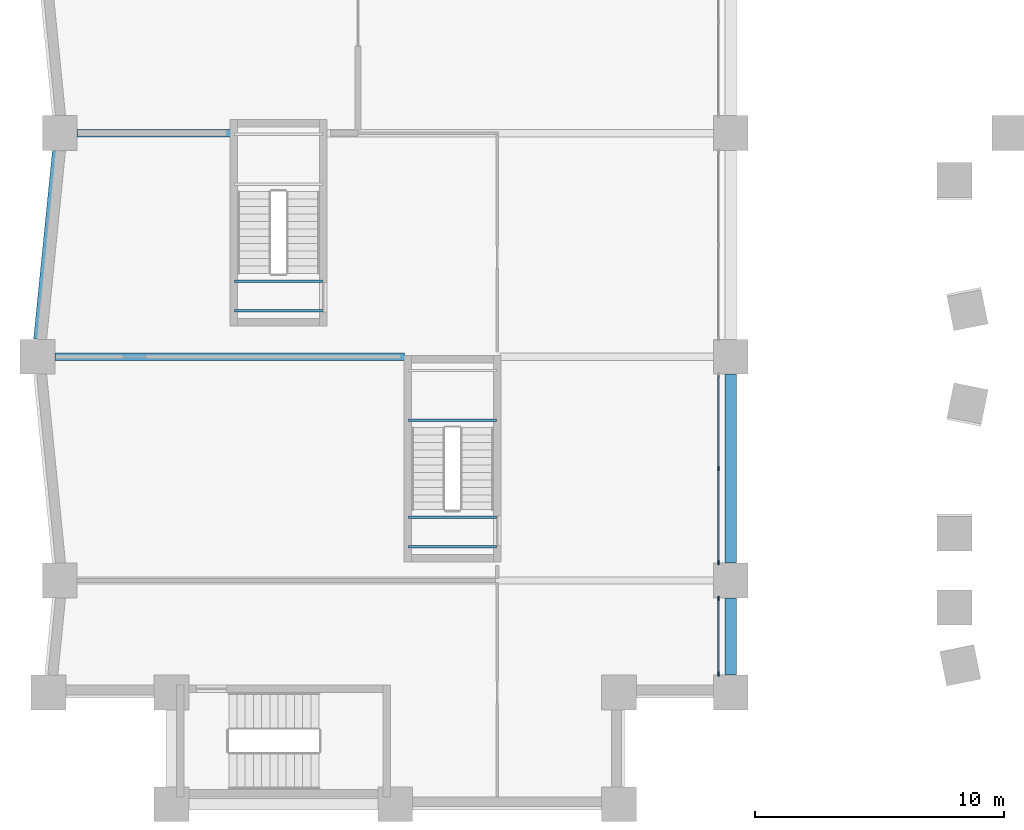
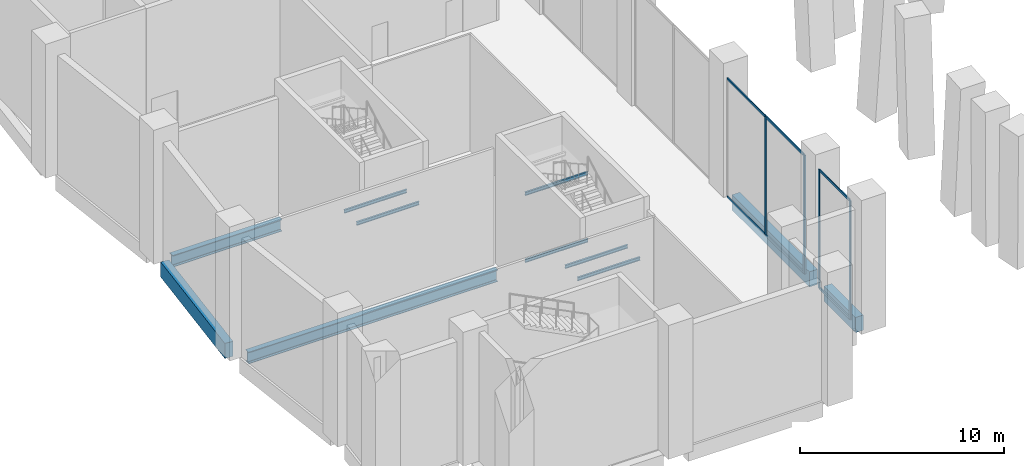
# One storey, part 2 of 19: 11 beams, 10 members, 2 elements without a shape of their own.
"""IFC4 building model written with IfcOpenShell, lengths in metres."""

from ifc_helpers import new_model, si_unit, direction, frame, origin, origin_2d, place, context, subcontext, project, spatial, rectangle, i_section, extrude, material, material_profile, profile_set, type_object, element, aggregate, save


model = new_model("IFC4")

# Units and contexts
model_context = context("Model", 3, precision=1e-05, world=origin(), true_north=direction((0.0, 1.0)))
body_context = subcontext(model_context, "Body", "Model", "MODEL_VIEW")
ifc_project = project(units=[si_unit("LENGTHUNIT", "METRE"), si_unit("AREAUNIT", "SQUARE_METRE"), si_unit("VOLUMEUNIT", "CUBIC_METRE"), si_unit("PLANEANGLEUNIT", "RADIAN"), si_unit("MASSUNIT", "GRAM", prefix="KILO")], contexts=[model_context])

# Site, building, storey
site_placement = place(None, origin())
site = spatial("IfcSite", under=ifc_project, at=site_placement, CompositionType="ELEMENT")
building_placement = place(site_placement, origin())
building = spatial("IfcBuilding", under=site, at=building_placement, Name="Brondeck Convention Tower", CompositionType="ELEMENT")
storey_placement = place(building_placement, frame((0.0, 0.0, 19.5)))
storey = spatial("IfcBuildingStorey", under=building, at=storey_placement, Name="L03", CompositionType="ELEMENT", Elevation=19.5)

# Curtain wall, members
ifc_material_1 = material(Name="Aluminium, bronze anodised", Category="aluminium")
curtain_wall_type = type_object("IfcCurtainWallType", Name="Podium hall curtain wall", PredefinedType="NOTDEFINED", material=ifc_material_1)
curtain_wall_1_placement = place(storey_placement, origin())
curtain_wall_1 = element("IfcCurtainWall", 1, at=curtain_wall_1_placement, inside=storey, type_object=curtain_wall_type, Name="ENV-CW2-L03-B-E-06", PredefinedType="NOTDEFINED")
ifc_material_profile_1 = material_profile(ifc_material_1, rectangle(XDim=0.06005859375, YDim=0.179931640625, at=origin_2d()), Name="CW2 mullion")
ifc_profile_set_1 = profile_set([ifc_material_profile_1], Name="Aluminium, bronze anodised")
member_type_1 = type_object("IfcMemberType", Name="CW2 mullion", PredefinedType="MULLION", material=ifc_profile_set_1)
member_1_placement = place(storey_placement, frame((26.5, 8.27001953125, 0.0), z_axis=(0.0, 0.0, 1.0), x_axis=(1.0, 0.0, 0.0)))
member_1 = element("IfcMember", 2, at=member_1_placement, type_object=member_type_1, Name="CW2 mullion 1", PredefinedType="MULLION", context=body_context, shape_type="SweptSolid", body=[
    extrude(rectangle(XDim=0.06005859375, YDim=0.179931640625, at=origin_2d()), origin(), (0.0, 0.0, 1.0), 7.10009765625),
])
member_2_placement = place(storey_placement, frame((26.5, 5.22998046875, 0.0), z_axis=(0.0, 0.0, 1.0), x_axis=(1.0, 0.0, 0.0)))
member_2 = element("IfcMember", 3, at=member_2_placement, type_object=member_type_1, Name="CW2 mullion 2", PredefinedType="MULLION", context=body_context, shape_type="SweptSolid", body=[
    extrude(rectangle(XDim=0.06005859375, YDim=0.179931640625, at=origin_2d()), origin(), (0.0, 0.0, 1.0), 7.10009765625),
])

curtain_wall_2_placement = place(storey_placement, origin())
curtain_wall_2 = element("IfcCurtainWall", 4, at=curtain_wall_2_placement, inside=storey, type_object=curtain_wall_type, Name="ENV-CW2-L03-B-E-05", PredefinedType="NOTDEFINED")
member_3_placement = place(storey_placement, frame((26.5, 13.5, 0.0), z_axis=(0.0, 0.0, 1.0), x_axis=(1.0, 0.0, 0.0)))
member_3 = element("IfcMember", 5, at=member_3_placement, type_object=member_type_1, Name="CW2 mullion 2", PredefinedType="MULLION", context=body_context, shape_type="SweptSolid", body=[
    extrude(rectangle(XDim=0.06005859375, YDim=0.179931640625, at=origin_2d()), origin(), (0.0, 0.0, 1.0), 7.10009765625),
])
member_4_placement = place(storey_placement, frame((26.5, 9.72998046875, 0.0), z_axis=(0.0, 0.0, 1.0), x_axis=(1.0, 0.0, 0.0)))
member_4 = element("IfcMember", 6, at=member_4_placement, type_object=member_type_1, Name="CW2 mullion 3", PredefinedType="MULLION", context=body_context, shape_type="SweptSolid", body=[
    extrude(rectangle(XDim=0.06005859375, YDim=0.179931640625, at=origin_2d()), origin(), (0.0, 0.0, 1.0), 7.10009765625),
])

# Member
ifc_material_profile_2 = material_profile(ifc_material_1, rectangle(XDim=0.06005859375, YDim=0.139892578125, at=origin_2d()), Name="CW2 transom")
ifc_profile_set_2 = profile_set([ifc_material_profile_2], Name="Aluminium, bronze anodised")
member_type_2 = type_object("IfcMemberType", Name="CW2 transom", PredefinedType="USERDEFINED", material=ifc_profile_set_2)
member_5_placement = place(storey_placement, frame((26.5, 8.239990234375, 0.030029296875), z_axis=(0.0, -1.0, 0.0), x_axis=(1.0, 0.0, 0.0)))
member_5 = element("IfcMember", 7, at=member_5_placement, type_object=member_type_2, Name="CW2 transom 1.1", ObjectType="TRANSOM", PredefinedType="USERDEFINED", context=body_context, shape_type="SweptSolid", body=[
    extrude(rectangle(XDim=0.06005859375, YDim=0.139892578125, at=origin_2d()), origin(), (0.0, 0.0, 1.0), 2.97998046875),
])

member_6_placement = place(storey_placement, frame((26.5, 8.239990234375, 7.070068359375), z_axis=(0.0, -1.0, 0.0), x_axis=(1.0, 0.0, 0.0)))
member_6 = element("IfcMember", 8, at=member_6_placement, type_object=member_type_2, Name="CW2 transom 1.2", ObjectType="TRANSOM", PredefinedType="USERDEFINED", context=body_context, shape_type="SweptSolid", body=[
    extrude(rectangle(XDim=0.06005859375, YDim=0.139892578125, at=origin_2d()), origin(), (0.0, 0.0, 1.0), 2.97998046875),
])

aggregate(curtain_wall_1, [member_1, member_2, member_5, member_6])

member_7_placement = place(storey_placement, frame((26.5, 17.239990234375, 0.030029296875), z_axis=(0.0, -1.0, 0.0), x_axis=(1.0, 0.0, 0.0)))
member_7 = element("IfcMember", 9, at=member_7_placement, type_object=member_type_2, Name="CW2 transom 1.1", ObjectType="TRANSOM", PredefinedType="USERDEFINED", context=body_context, shape_type="SweptSolid", body=[
    extrude(rectangle(XDim=0.06005859375, YDim=0.139892578125, at=origin_2d()), origin(), (0.0, 0.0, 1.0), 3.7099609375),
])

member_8_placement = place(storey_placement, frame((26.5, 17.239990234375, 7.070068359375), z_axis=(0.0, -1.0, 0.0), x_axis=(1.0, 0.0, 0.0)))
member_8 = element("IfcMember", 10, at=member_8_placement, type_object=member_type_2, Name="CW2 transom 1.2", ObjectType="TRANSOM", PredefinedType="USERDEFINED", context=body_context, shape_type="SweptSolid", body=[
    extrude(rectangle(XDim=0.06005859375, YDim=0.139892578125, at=origin_2d()), origin(), (0.0, 0.0, 1.0), 3.7099609375),
])

member_9_placement = place(storey_placement, frame((26.5, 13.469970703125, 0.030029296875), z_axis=(0.0, -1.0, 0.0), x_axis=(1.0, 0.0, 0.0)))
member_9 = element("IfcMember", 11, at=member_9_placement, type_object=member_type_2, Name="CW2 transom 2.1", ObjectType="TRANSOM", PredefinedType="USERDEFINED", context=body_context, shape_type="SweptSolid", body=[
    extrude(rectangle(XDim=0.06005859375, YDim=0.139892578125, at=origin_2d()), origin(), (0.0, 0.0, 1.0), 3.7099609375),
])

member_10_placement = place(storey_placement, frame((26.5, 13.469970703125, 7.070068359375), z_axis=(0.0, -1.0, 0.0), x_axis=(1.0, 0.0, 0.0)))
member_10 = element("IfcMember", 12, at=member_10_placement, type_object=member_type_2, Name="CW2 transom 2.2", ObjectType="TRANSOM", PredefinedType="USERDEFINED", context=body_context, shape_type="SweptSolid", body=[
    extrude(rectangle(XDim=0.06005859375, YDim=0.139892578125, at=origin_2d()), origin(), (0.0, 0.0, 1.0), 3.7099609375),
])

aggregate(curtain_wall_2, [member_3, member_4, member_7, member_8, member_9, member_10])

# Beams
ifc_material_2 = material(Name="Concrete C80/95", Category="concrete")
ifc_material_profile_3 = material_profile(ifc_material_2, rectangle(XDim=0.449951171875, YDim=0.89990234375, at=origin_2d()), Name="Edge beam 450x900 Concrete C80/95")
ifc_profile_set_3 = profile_set([ifc_material_profile_3], Name="Concrete C80/95")
beam_type_1 = type_object("IfcBeamType", Name="Edge beam 450x900 Concrete C80/95", PredefinedType="BEAM", material=ifc_profile_set_3)
beam_1_placement = place(storey_placement, frame((27.0, 5.199951171875, -0.449951171875), z_axis=(0.0, 1.0, 0.0), x_axis=(-1.0, 0.0, 0.0)))
element("IfcBeam", 13, at=beam_1_placement, inside=storey, type_object=beam_type_1, Name="STR-SP-L03-005", PredefinedType="BEAM", context=body_context, shape_type="SweptSolid", body=[
    extrude(rectangle(XDim=0.449951171875, YDim=0.89990234375, at=origin_2d()), origin(), (0.0, 0.0, 1.0), 3.10009765625),
])
beam_2_placement = place(storey_placement, frame((27.0, 9.699951171875, -0.449951171875), z_axis=(0.0, 1.0, 0.0), x_axis=(-1.0, 0.0, 0.0)))
element("IfcBeam", 14, at=beam_2_placement, inside=storey, type_object=beam_type_1, Name="STR-SP-L03-006", PredefinedType="BEAM", context=body_context, shape_type="SweptSolid", body=[
    extrude(rectangle(XDim=0.449951171875, YDim=0.89990234375, at=origin_2d()), origin(), (0.0, 0.0, 1.0), 7.60009765625),
])
beam_3_placement = place(storey_placement, frame((-0.070068359375, 26.300048828125, -0.449951171875), z_axis=(-0.099503719021, -0.99503719021, 0.0), x_axis=(0.99503719021, -0.099503719021, 0.0)))
element("IfcBeam", 15, at=beam_3_placement, inside=storey, type_object=beam_type_1, Name="STR-SP-L03-034", PredefinedType="BEAM", context=body_context, shape_type="SweptSolid", body=[
    extrude(rectangle(XDim=0.449951171875, YDim=0.89990234375, at=origin_2d()), origin(), (0.0, 0.0, 1.0), 7.637939453125),
])
ifc_material_3 = material(Name="Steel S355", Category="steel")
ifc_material_profile_4 = material_profile(ifc_material_3, i_section(OverallWidth=0.300048828125, OverallDepth=0.699951171875, WebThickness=0.01708984375, FlangeThickness=0.031982421875, FilletRadius=0.027099609375, at=origin_2d()), Name="HEB 700")
ifc_profile_set_4 = profile_set([ifc_material_profile_4], Name="Steel S355")
beam_type_2 = type_object("IfcBeamType", Name="Girder HEB 700", PredefinedType="BEAM", material=ifc_profile_set_4)
beam_4_placement = place(storey_placement, frame((-0.199951171875, 18.0, -0.64990234375), z_axis=(1.0, 0.0, 0.0), x_axis=(0.0, 1.0, 0.0)))
element("IfcBeam", 16, at=beam_4_placement, inside=storey, type_object=beam_type_2, Name="STR-GR-L03-008", PredefinedType="BEAM", context=body_context, shape_type="SweptSolid", body=[
    extrude(i_section(OverallWidth=0.300048828125, OverallDepth=0.699951171875, WebThickness=0.01708984375, FlangeThickness=0.031982421875, FilletRadius=0.027099609375, at=origin_2d()), origin(), (0.0, 0.0, 1.0), 14.079833984375),
])
beam_5_placement = place(storey_placement, frame((0.699951171875, 27.0, -0.64990234375), z_axis=(1.0, 0.0, 0.0), x_axis=(0.0, 1.0, 0.0)))
element("IfcBeam", 17, at=beam_5_placement, inside=storey, type_object=beam_type_2, Name="STR-GR-L03-010", PredefinedType="BEAM", context=body_context, shape_type="SweptSolid", body=[
    extrude(i_section(OverallWidth=0.300048828125, OverallDepth=0.699951171875, WebThickness=0.01708984375, FlangeThickness=0.031982421875, FilletRadius=0.027099609375, at=origin_2d()), origin(), (0.0, 0.0, 1.0), 6.179931640625),
])
ifc_material_profile_5 = material_profile(ifc_material_3, i_section(OverallWidth=0.10009765625, OverallDepth=0.199951171875, WebThickness=0.005615234375, FlangeThickness=0.008544921875, FilletRadius=0.011962890625, at=origin_2d()), Name="IPE200")
ifc_profile_set_5 = profile_set([ifc_material_profile_5], Name="Steel S355")
beam_type_3 = type_object("IfcBeamType", Name="Landing ledger beam IPE 200", PredefinedType="BEAM", material=ifc_profile_set_5)
for number, where, z_axis, x_axis, name in (
    (18, (10.570068359375, 19.85009765625, 3.64990234375), (-1.0, 0.0, 0.0), (0.0, -1.0, 0.0), "L03 ST-BE landing beam"),
    (19, (10.570068359375, 21.050048828125, 3.64990234375), (-1.0, 0.0, 0.0), (0.0, -1.0, 0.0), "L03 ST-BE landing beam"),
    (20, (17.570068359375, 15.449951171875, 1.64990234375), (-1.0, 0.0, 0.0), (0.0, -1.0, 0.0), "L03 ST-BF landing beam"),
    (21, (17.570068359375, 10.35009765625, 3.64990234375), (-1.0, 0.0, 0.0), (0.0, -1.0, 0.0), "L03 ST-BF landing beam"),
    (22, (17.570068359375, 11.550048828125, 3.64990234375), (-1.0, 0.0, 0.0), (0.0, -1.0, 0.0), "L03 ST-BF landing beam"),
    (23, (17.570068359375, 15.449951171875, 5.64990234375), (-1.0, 0.0, 0.0), (0.0, -1.0, 0.0), "L03 ST-BF landing beam"),
):
    element("IfcBeam", number, at=place(storey_placement, frame(where, z_axis=z_axis, x_axis=x_axis)), inside=storey, type_object=beam_type_3, Name=name, PredefinedType="BEAM", context=body_context, shape_type="SweptSolid", body=[
        extrude(i_section(OverallWidth=0.10009765625, OverallDepth=0.199951171875, WebThickness=0.005615234375, FlangeThickness=0.008544921875, FilletRadius=0.011962890625, at=origin_2d()), origin(), (0.0, 0.0, 1.0), 3.5400390625),
    ])

save(model, "model.ifc")
